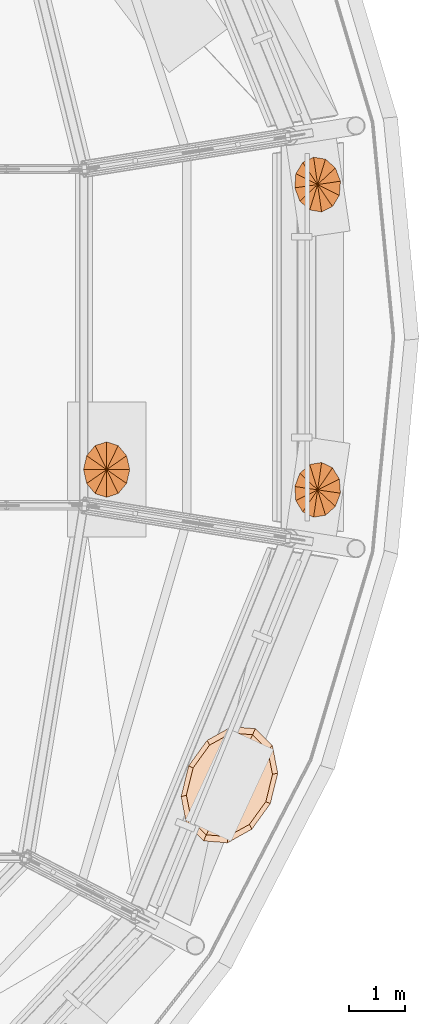
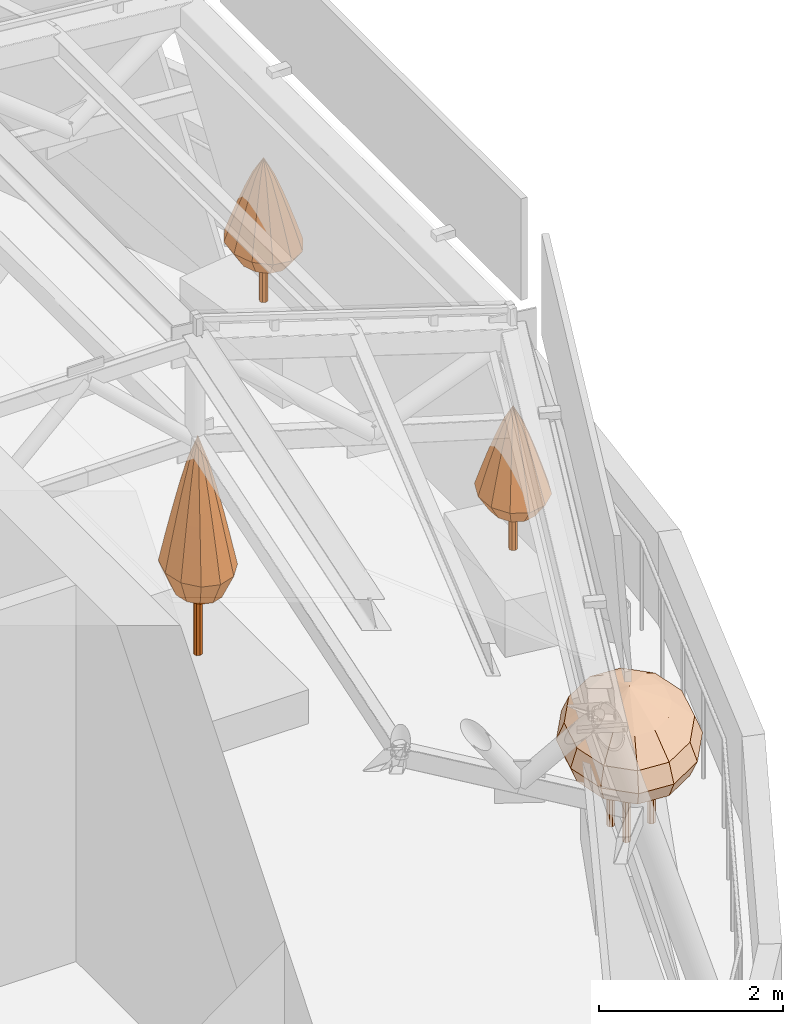
# One storey, part 36 of 40: 4 geographic elements.
"""IFC4 building model written with IfcOpenShell, lengths in metres."""

from ifc_helpers import new_model, si_unit, direction, frame, origin, place, context, subcontext, project, spatial, faceted_brep, material, constituent, constituent_set, type_object, element, save


model = new_model("IFC4")

# Units and contexts
model_context = context("Model", 3, precision=1e-05, world=origin(), true_north=direction((0.0, 1.0)))
body_context = subcontext(model_context, "Body", "Model", "MODEL_VIEW")
ifc_project = project(units=[si_unit("LENGTHUNIT", "METRE"), si_unit("AREAUNIT", "SQUARE_METRE"), si_unit("VOLUMEUNIT", "CUBIC_METRE"), si_unit("PLANEANGLEUNIT", "RADIAN"), si_unit("MASSUNIT", "GRAM", prefix="KILO")], contexts=[model_context])

# Site, building, storey
site_placement = place(None, origin())
site = spatial("IfcSite", under=ifc_project, at=site_placement, CompositionType="ELEMENT")
building_placement = place(site_placement, origin())
building = spatial("IfcBuilding", under=site, at=building_placement, Name="Taillehof Tower", CompositionType="ELEMENT")
storey_placement = place(building_placement, frame((0.0, 0.0, 275.199951171875)))
storey = spatial("IfcBuildingStorey", under=building, at=storey_placement, Name="L77", CompositionType="ELEMENT", Elevation=275.199951171875)

# Geographic elements
ifc_material_1 = material(Name="Tree bark", Category="timber")
ifc_constituent_1 = constituent(ifc_material_1, Name="Trunk", Category="timber")
ifc_material_2 = material(Name="Tree foliage")
ifc_constituent_2 = constituent(ifc_material_2, Name="Crown")
ifc_constituent_set_1 = constituent_set(constituents=[ifc_constituent_1, ifc_constituent_2], Name="Tree TR10 Scots pine standard")
geographic_element_type_1 = type_object("IfcGeographicElementType", Name="Tree TR10 Scots pine standard", PredefinedType="USERDEFINED", material=ifc_constituent_set_1)
geographic_element_1_placement = place(storey_placement, frame((19.14990234375, -2.054443359375, 0.449951171875)))
element("IfcGeographicElement", 1, at=geographic_element_1_placement, inside=storey, type_object=geographic_element_type_1, Name="Tree TR10 Scots pine standard", ObjectType="TREE", PredefinedType="USERDEFINED", context=body_context, shape_type="Brep", body=[
    faceted_brep([(0.050048828125, 0.0, 0.0), (0.035400390625, 0.035400390625, 0.0), (0.035400390625, 0.035400390625, 1.58056640625), (0.050048828125, 0.0, 1.58056640625), (0.0, 0.050048828125, 0.0), (0.0, 0.050048828125, 1.58056640625), (-0.035400390625, 0.035400390625, 0.0), (-0.035400390625, 0.035400390625, 1.58056640625), (-0.050048828125, 0.0, 0.0), (-0.050048828125, 0.0, 1.58056640625), (-0.035400390625, -0.035400390625, 0.0), (-0.035400390625, -0.035400390625, 1.58056640625), (0.0, -0.050048828125, 0.0), (0.0, -0.050048828125, 1.58056640625), (0.035400390625, -0.035400390625, 0.0), (0.035400390625, -0.035400390625, 1.58056640625)], [[[0, 1, 2, 3]], [[1, 4, 5, 2]], [[4, 6, 7, 5]], [[6, 8, 9, 7]], [[8, 10, 11, 9]], [[10, 12, 13, 11]], [[12, 14, 15, 13]], [[14, 0, 3, 15]], [[14, 12, 10, 8, 6, 4, 1, 0]], [[3, 2, 5, 7, 9, 11, 13, 15]]]),
    faceted_brep([(0.0, 0.330078125, 0.8701171875), (-0.137451171875, 0.285888671875, 0.8701171875), (-0.205322265625, 0.4267578125, 1.208251953125), (0.0, 0.49267578125, 1.208251953125), (-0.238037109375, 0.1650390625, 0.8701171875), (-0.35546875, 0.246337890625, 1.208251953125), (-0.27490234375, 0.0, 0.8701171875), (-0.41064453125, 0.0, 1.208251953125), (-0.238037109375, -0.1650390625, 0.8701171875), (-0.35546875, -0.246337890625, 1.208251953125), (-0.137451171875, -0.285888671875, 0.8701171875), (-0.205322265625, -0.4267578125, 1.208251953125), (0.0, -0.330078125, 0.8701171875), (0.0, -0.49267578125, 1.208251953125), (0.137451171875, -0.285888671875, 0.8701171875), (0.205322265625, -0.4267578125, 1.208251953125), (0.238037109375, -0.1650390625, 0.8701171875), (0.35546875, -0.246337890625, 1.208251953125), (0.27490234375, 0.0, 0.8701171875), (0.41064453125, 0.0, 1.208251953125), (0.238037109375, 0.1650390625, 0.8701171875), (0.35546875, 0.246337890625, 1.208251953125), (0.137451171875, 0.285888671875, 0.8701171875), (0.205322265625, 0.4267578125, 1.208251953125), (-0.171630859375, 0.35693359375, 1.546630859375), (0.0, 0.412109375, 1.546630859375), (-0.29736328125, 0.2060546875, 1.546630859375), (-0.343505859375, 0.0, 1.546630859375), (-0.29736328125, -0.2060546875, 1.546630859375), (-0.171630859375, -0.35693359375, 1.546630859375), (0.0, -0.412109375, 1.546630859375), (0.171630859375, -0.35693359375, 1.546630859375), (0.29736328125, -0.2060546875, 1.546630859375), (0.343505859375, 0.0, 1.546630859375), (0.29736328125, 0.2060546875, 1.546630859375), (0.171630859375, 0.35693359375, 1.546630859375), (-0.136474609375, 0.283447265625, 1.885009765625), (0.0, 0.327392578125, 1.885009765625), (-0.236328125, 0.16357421875, 1.885009765625), (-0.272705078125, 0.0, 1.885009765625), (-0.236328125, -0.16357421875, 1.885009765625), (-0.136474609375, -0.283447265625, 1.885009765625), (0.0, -0.327392578125, 1.885009765625), (0.136474609375, -0.283447265625, 1.885009765625), (0.236328125, -0.16357421875, 1.885009765625), (0.272705078125, 0.0, 1.885009765625), (0.236328125, 0.16357421875, 1.885009765625), (0.136474609375, 0.283447265625, 1.885009765625), (-0.0986328125, 0.205078125, 2.223388671875), (0.0, 0.236572265625, 2.223388671875), (-0.1708984375, 0.118408203125, 2.223388671875), (-0.197265625, 0.0, 2.223388671875), (-0.1708984375, -0.118408203125, 2.223388671875), (-0.0986328125, -0.205078125, 2.223388671875), (0.0, -0.236572265625, 2.223388671875), (0.0986328125, -0.205078125, 2.223388671875), (0.1708984375, -0.118408203125, 2.223388671875), (0.197265625, 0.0, 2.223388671875), (0.1708984375, 0.118408203125, 2.223388671875), (0.0986328125, 0.205078125, 2.223388671875), (-0.056640625, 0.11767578125, 2.561767578125), (0.0, 0.135986328125, 2.561767578125), (-0.09814453125, 0.06787109375, 2.561767578125), (-0.11328125, 0.0, 2.561767578125), (-0.09814453125, -0.06787109375, 2.561767578125), (-0.056640625, -0.11767578125, 2.561767578125), (0.0, -0.135986328125, 2.561767578125), (0.056640625, -0.11767578125, 2.561767578125), (0.09814453125, -0.06787109375, 2.561767578125), (0.11328125, 0.0, 2.561767578125), (0.09814453125, 0.06787109375, 2.561767578125), (0.056640625, 0.11767578125, 2.561767578125), (0.0, 0.0, 2.89990234375)], [[[0, 1, 2, 3]], [[1, 4, 5, 2]], [[4, 6, 7, 5]], [[6, 8, 9, 7]], [[8, 10, 11, 9]], [[10, 12, 13, 11]], [[12, 14, 15, 13]], [[14, 16, 17, 15]], [[16, 18, 19, 17]], [[18, 20, 21, 19]], [[20, 22, 23, 21]], [[22, 0, 3, 23]], [[3, 2, 24, 25]], [[2, 5, 26, 24]], [[5, 7, 27, 26]], [[7, 9, 28, 27]], [[9, 11, 29, 28]], [[11, 13, 30, 29]], [[13, 15, 31, 30]], [[15, 17, 32, 31]], [[17, 19, 33, 32]], [[19, 21, 34, 33]], [[21, 23, 35, 34]], [[23, 3, 25, 35]], [[25, 24, 36, 37]], [[24, 26, 38, 36]], [[26, 27, 39, 38]], [[27, 28, 40, 39]], [[28, 29, 41, 40]], [[29, 30, 42, 41]], [[30, 31, 43, 42]], [[31, 32, 44, 43]], [[32, 33, 45, 44]], [[33, 34, 46, 45]], [[34, 35, 47, 46]], [[35, 25, 37, 47]], [[37, 36, 48, 49]], [[36, 38, 50, 48]], [[38, 39, 51, 50]], [[39, 40, 52, 51]], [[40, 41, 53, 52]], [[41, 42, 54, 53]], [[42, 43, 55, 54]], [[43, 44, 56, 55]], [[44, 45, 57, 56]], [[45, 46, 58, 57]], [[46, 47, 59, 58]], [[47, 37, 49, 59]], [[49, 48, 60, 61]], [[48, 50, 62, 60]], [[50, 51, 63, 62]], [[51, 52, 64, 63]], [[52, 53, 65, 64]], [[53, 54, 66, 65]], [[54, 55, 67, 66]], [[55, 56, 68, 67]], [[56, 57, 69, 68]], [[57, 58, 70, 69]], [[58, 59, 71, 70]], [[59, 49, 61, 71]], [[61, 60, 72]], [[60, 62, 72]], [[62, 63, 72]], [[63, 64, 72]], [[64, 65, 72]], [[65, 66, 72]], [[66, 67, 72]], [[67, 68, 72]], [[68, 69, 72]], [[69, 70, 72]], [[70, 71, 72]], [[71, 61, 72]], [[22, 20, 18, 16, 14, 12, 10, 8, 6, 4, 1, 0]]]),
])
geographic_element_2_placement = place(storey_placement, frame((22.901611328125, 3.014892578125, 0.75)))
element("IfcGeographicElement", 2, at=geographic_element_2_placement, inside=storey, type_object=geographic_element_type_1, Name="Tree TR10 Scots pine standard", ObjectType="TREE", PredefinedType="USERDEFINED", context=body_context, shape_type="Brep", body=[
    faceted_brep([(0.050048828125, 0.0, 0.0), (0.035400390625, 0.035400390625, 0.0), (0.035400390625, 0.035400390625, 1.035400390625), (0.050048828125, 0.0, 1.035400390625), (0.0, 0.050048828125, 0.0), (0.0, 0.050048828125, 1.035400390625), (-0.035400390625, 0.035400390625, 0.0), (-0.035400390625, 0.035400390625, 1.035400390625), (-0.050048828125, 0.0, 0.0), (-0.050048828125, 0.0, 1.035400390625), (-0.035400390625, -0.035400390625, 0.0), (-0.035400390625, -0.035400390625, 1.035400390625), (0.0, -0.050048828125, 0.0), (0.0, -0.050048828125, 1.035400390625), (0.035400390625, -0.035400390625, 0.0), (0.035400390625, -0.035400390625, 1.035400390625)], [[[0, 1, 2, 3]], [[1, 4, 5, 2]], [[4, 6, 7, 5]], [[6, 8, 9, 7]], [[8, 10, 11, 9]], [[10, 12, 13, 11]], [[12, 14, 15, 13]], [[14, 0, 3, 15]], [[14, 12, 10, 8, 6, 4, 1, 0]], [[3, 2, 5, 7, 9, 11, 13, 15]]]),
    faceted_brep([(-0.0478515625, 0.326416015625, 0.570068359375), (-0.177490234375, 0.2626953125, 0.570068359375), (-0.26513671875, 0.392333984375, 0.791748046875), (-0.071533203125, 0.4873046875, 0.791748046875), (-0.259521484375, 0.128662109375, 0.570068359375), (-0.387451171875, 0.192138671875, 0.791748046875), (-0.27197265625, -0.0400390625, 0.570068359375), (-0.40625, -0.0595703125, 0.791748046875), (-0.211669921875, -0.19775390625, 0.570068359375), (-0.31591796875, -0.29541015625, 0.791748046875), (-0.094482421875, -0.302734375, 0.570068359375), (-0.14111328125, -0.451904296875, 0.791748046875), (0.0478515625, -0.326416015625, 0.570068359375), (0.071533203125, -0.4873046875, 0.791748046875), (0.177490234375, -0.2626953125, 0.570068359375), (0.26513671875, -0.392333984375, 0.791748046875), (0.259521484375, -0.128662109375, 0.570068359375), (0.387451171875, -0.192138671875, 0.791748046875), (0.27197265625, 0.0400390625, 0.570068359375), (0.40625, 0.0595703125, 0.791748046875), (0.211669921875, 0.19775390625, 0.570068359375), (0.31591796875, 0.29541015625, 0.791748046875), (0.094482421875, 0.302734375, 0.570068359375), (0.14111328125, 0.451904296875, 0.791748046875), (-0.2216796875, 0.328125, 1.013427734375), (-0.059814453125, 0.40771484375, 1.013427734375), (-0.32421875, 0.16064453125, 1.013427734375), (-0.33984375, -0.0498046875, 1.013427734375), (-0.264404296875, -0.2470703125, 1.013427734375), (-0.117919921875, -0.3779296875, 1.013427734375), (0.059814453125, -0.40771484375, 1.013427734375), (0.2216796875, -0.328125, 1.013427734375), (0.32421875, -0.16064453125, 1.013427734375), (0.33984375, 0.0498046875, 1.013427734375), (0.264404296875, 0.2470703125, 1.013427734375), (0.117919921875, 0.3779296875, 1.013427734375), (-0.17626953125, 0.2607421875, 1.235107421875), (-0.047607421875, 0.323974609375, 1.235107421875), (-0.257568359375, 0.127685546875, 1.235107421875), (-0.27001953125, -0.03955078125, 1.235107421875), (-0.2099609375, -0.1962890625, 1.235107421875), (-0.09375, -0.30029296875, 1.235107421875), (0.047607421875, -0.323974609375, 1.235107421875), (0.17626953125, -0.2607421875, 1.235107421875), (0.257568359375, -0.127685546875, 1.235107421875), (0.27001953125, 0.03955078125, 1.235107421875), (0.2099609375, 0.1962890625, 1.235107421875), (0.09375, 0.30029296875, 1.235107421875), (-0.12744140625, 0.1884765625, 1.456787109375), (-0.034423828125, 0.234130859375, 1.456787109375), (-0.186279296875, 0.09228515625, 1.456787109375), (-0.195068359375, -0.028564453125, 1.456787109375), (-0.15185546875, -0.141845703125, 1.456787109375), (-0.06787109375, -0.217041015625, 1.456787109375), (0.034423828125, -0.234130859375, 1.456787109375), (0.12744140625, -0.1884765625, 1.456787109375), (0.186279296875, -0.09228515625, 1.456787109375), (0.195068359375, 0.028564453125, 1.456787109375), (0.15185546875, 0.141845703125, 1.456787109375), (0.06787109375, 0.217041015625, 1.456787109375), (-0.0732421875, 0.108154296875, 1.67822265625), (-0.019775390625, 0.134521484375, 1.67822265625), (-0.10693359375, 0.052978515625, 1.67822265625), (-0.112060546875, -0.016357421875, 1.67822265625), (-0.087158203125, -0.08154296875, 1.67822265625), (-0.038818359375, -0.124755859375, 1.67822265625), (0.019775390625, -0.134521484375, 1.67822265625), (0.0732421875, -0.108154296875, 1.67822265625), (0.10693359375, -0.052978515625, 1.67822265625), (0.112060546875, 0.016357421875, 1.67822265625), (0.087158203125, 0.08154296875, 1.67822265625), (0.038818359375, 0.124755859375, 1.67822265625), (0.0, 0.0, 1.89990234375)], [[[0, 1, 2, 3]], [[1, 4, 5, 2]], [[4, 6, 7, 5]], [[6, 8, 9, 7]], [[8, 10, 11, 9]], [[10, 12, 13, 11]], [[12, 14, 15, 13]], [[14, 16, 17, 15]], [[16, 18, 19, 17]], [[18, 20, 21, 19]], [[20, 22, 23, 21]], [[22, 0, 3, 23]], [[3, 2, 24, 25]], [[2, 5, 26, 24]], [[5, 7, 27, 26]], [[7, 9, 28, 27]], [[9, 11, 29, 28]], [[11, 13, 30, 29]], [[13, 15, 31, 30]], [[15, 17, 32, 31]], [[17, 19, 33, 32]], [[19, 21, 34, 33]], [[21, 23, 35, 34]], [[23, 3, 25, 35]], [[25, 24, 36, 37]], [[24, 26, 38, 36]], [[26, 27, 39, 38]], [[27, 28, 40, 39]], [[28, 29, 41, 40]], [[29, 30, 42, 41]], [[30, 31, 43, 42]], [[31, 32, 44, 43]], [[32, 33, 45, 44]], [[33, 34, 46, 45]], [[34, 35, 47, 46]], [[35, 25, 37, 47]], [[37, 36, 48, 49]], [[36, 38, 50, 48]], [[38, 39, 51, 50]], [[39, 40, 52, 51]], [[40, 41, 53, 52]], [[41, 42, 54, 53]], [[42, 43, 55, 54]], [[43, 44, 56, 55]], [[44, 45, 57, 56]], [[45, 46, 58, 57]], [[46, 47, 59, 58]], [[47, 37, 49, 59]], [[49, 48, 60, 61]], [[48, 50, 62, 60]], [[50, 51, 63, 62]], [[51, 52, 64, 63]], [[52, 53, 65, 64]], [[53, 54, 66, 65]], [[54, 55, 67, 66]], [[55, 56, 68, 67]], [[56, 57, 69, 68]], [[57, 58, 70, 69]], [[58, 59, 71, 70]], [[59, 49, 61, 71]], [[61, 60, 72]], [[60, 62, 72]], [[62, 63, 72]], [[63, 64, 72]], [[64, 65, 72]], [[65, 66, 72]], [[66, 67, 72]], [[67, 68, 72]], [[68, 69, 72]], [[69, 70, 72]], [[70, 71, 72]], [[71, 61, 72]], [[22, 20, 18, 16, 14, 12, 10, 8, 6, 4, 1, 0]]]),
])
geographic_element_3_placement = place(storey_placement, frame((22.901611328125, -2.414794921875, 0.75)))
element("IfcGeographicElement", 3, at=geographic_element_3_placement, inside=storey, type_object=geographic_element_type_1, Name="Tree TR10 Scots pine standard", ObjectType="TREE", PredefinedType="USERDEFINED", context=body_context, shape_type="Brep", body=[
    faceted_brep([(0.050048828125, 0.0, 0.0), (0.035400390625, 0.035400390625, 0.0), (0.035400390625, 0.035400390625, 1.035400390625), (0.050048828125, 0.0, 1.035400390625), (0.0, 0.050048828125, 0.0), (0.0, 0.050048828125, 1.035400390625), (-0.035400390625, 0.035400390625, 0.0), (-0.035400390625, 0.035400390625, 1.035400390625), (-0.050048828125, 0.0, 0.0), (-0.050048828125, 0.0, 1.035400390625), (-0.035400390625, -0.035400390625, 0.0), (-0.035400390625, -0.035400390625, 1.035400390625), (0.0, -0.050048828125, 0.0), (0.0, -0.050048828125, 1.035400390625), (0.035400390625, -0.035400390625, 0.0), (0.035400390625, -0.035400390625, 1.035400390625)], [[[0, 1, 2, 3]], [[1, 4, 5, 2]], [[4, 6, 7, 5]], [[6, 8, 9, 7]], [[8, 10, 11, 9]], [[10, 12, 13, 11]], [[12, 14, 15, 13]], [[14, 0, 3, 15]], [[14, 12, 10, 8, 6, 4, 1, 0]], [[3, 2, 5, 7, 9, 11, 13, 15]]]),
    faceted_brep([(0.0478515625, 0.326416015625, 0.570068359375), (-0.094482421875, 0.302734375, 0.570068359375), (-0.14111328125, 0.451904296875, 0.791748046875), (0.071533203125, 0.4873046875, 0.791748046875), (-0.211669921875, 0.19775390625, 0.570068359375), (-0.31591796875, 0.29541015625, 0.791748046875), (-0.27197265625, 0.0400390625, 0.570068359375), (-0.40625, 0.0595703125, 0.791748046875), (-0.259521484375, -0.128662109375, 0.570068359375), (-0.387451171875, -0.192138671875, 0.791748046875), (-0.177490234375, -0.2626953125, 0.570068359375), (-0.26513671875, -0.392333984375, 0.791748046875), (-0.0478515625, -0.326416015625, 0.570068359375), (-0.071533203125, -0.4873046875, 0.791748046875), (0.094482421875, -0.302734375, 0.570068359375), (0.14111328125, -0.451904296875, 0.791748046875), (0.211669921875, -0.19775390625, 0.570068359375), (0.31591796875, -0.29541015625, 0.791748046875), (0.27197265625, -0.0400390625, 0.570068359375), (0.40625, -0.0595703125, 0.791748046875), (0.259521484375, 0.128662109375, 0.570068359375), (0.387451171875, 0.192138671875, 0.791748046875), (0.177490234375, 0.2626953125, 0.570068359375), (0.26513671875, 0.392333984375, 0.791748046875), (-0.117919921875, 0.3779296875, 1.013427734375), (0.059814453125, 0.40771484375, 1.013427734375), (-0.264404296875, 0.2470703125, 1.013427734375), (-0.33984375, 0.0498046875, 1.013427734375), (-0.32421875, -0.16064453125, 1.013427734375), (-0.2216796875, -0.328125, 1.013427734375), (-0.059814453125, -0.40771484375, 1.013427734375), (0.117919921875, -0.3779296875, 1.013427734375), (0.264404296875, -0.2470703125, 1.013427734375), (0.33984375, -0.0498046875, 1.013427734375), (0.32421875, 0.16064453125, 1.013427734375), (0.2216796875, 0.328125, 1.013427734375), (-0.09375, 0.30029296875, 1.235107421875), (0.047607421875, 0.323974609375, 1.235107421875), (-0.2099609375, 0.1962890625, 1.235107421875), (-0.27001953125, 0.03955078125, 1.235107421875), (-0.257568359375, -0.127685546875, 1.235107421875), (-0.17626953125, -0.2607421875, 1.235107421875), (-0.047607421875, -0.323974609375, 1.235107421875), (0.09375, -0.30029296875, 1.235107421875), (0.2099609375, -0.1962890625, 1.235107421875), (0.27001953125, -0.03955078125, 1.235107421875), (0.257568359375, 0.127685546875, 1.235107421875), (0.17626953125, 0.2607421875, 1.235107421875), (-0.06787109375, 0.217041015625, 1.456787109375), (0.034423828125, 0.234130859375, 1.456787109375), (-0.15185546875, 0.141845703125, 1.456787109375), (-0.195068359375, 0.028564453125, 1.456787109375), (-0.186279296875, -0.09228515625, 1.456787109375), (-0.12744140625, -0.1884765625, 1.456787109375), (-0.034423828125, -0.234130859375, 1.456787109375), (0.06787109375, -0.217041015625, 1.456787109375), (0.15185546875, -0.141845703125, 1.456787109375), (0.195068359375, -0.028564453125, 1.456787109375), (0.186279296875, 0.09228515625, 1.456787109375), (0.12744140625, 0.1884765625, 1.456787109375), (-0.038818359375, 0.124755859375, 1.67822265625), (0.019775390625, 0.134521484375, 1.67822265625), (-0.087158203125, 0.08154296875, 1.67822265625), (-0.112060546875, 0.016357421875, 1.67822265625), (-0.10693359375, -0.052978515625, 1.67822265625), (-0.0732421875, -0.108154296875, 1.67822265625), (-0.019775390625, -0.134521484375, 1.67822265625), (0.038818359375, -0.124755859375, 1.67822265625), (0.087158203125, -0.08154296875, 1.67822265625), (0.112060546875, -0.016357421875, 1.67822265625), (0.10693359375, 0.052978515625, 1.67822265625), (0.0732421875, 0.108154296875, 1.67822265625), (0.0, 0.0, 1.89990234375)], [[[0, 1, 2, 3]], [[1, 4, 5, 2]], [[4, 6, 7, 5]], [[6, 8, 9, 7]], [[8, 10, 11, 9]], [[10, 12, 13, 11]], [[12, 14, 15, 13]], [[14, 16, 17, 15]], [[16, 18, 19, 17]], [[18, 20, 21, 19]], [[20, 22, 23, 21]], [[22, 0, 3, 23]], [[3, 2, 24, 25]], [[2, 5, 26, 24]], [[5, 7, 27, 26]], [[7, 9, 28, 27]], [[9, 11, 29, 28]], [[11, 13, 30, 29]], [[13, 15, 31, 30]], [[15, 17, 32, 31]], [[17, 19, 33, 32]], [[19, 21, 34, 33]], [[21, 23, 35, 34]], [[23, 3, 25, 35]], [[25, 24, 36, 37]], [[24, 26, 38, 36]], [[26, 27, 39, 38]], [[27, 28, 40, 39]], [[28, 29, 41, 40]], [[29, 30, 42, 41]], [[30, 31, 43, 42]], [[31, 32, 44, 43]], [[32, 33, 45, 44]], [[33, 34, 46, 45]], [[34, 35, 47, 46]], [[35, 25, 37, 47]], [[37, 36, 48, 49]], [[36, 38, 50, 48]], [[38, 39, 51, 50]], [[39, 40, 52, 51]], [[40, 41, 53, 52]], [[41, 42, 54, 53]], [[42, 43, 55, 54]], [[43, 44, 56, 55]], [[44, 45, 57, 56]], [[45, 46, 58, 57]], [[46, 47, 59, 58]], [[47, 37, 49, 59]], [[49, 48, 60, 61]], [[48, 50, 62, 60]], [[50, 51, 63, 62]], [[51, 52, 64, 63]], [[52, 53, 65, 64]], [[53, 54, 66, 65]], [[54, 55, 67, 66]], [[55, 56, 68, 67]], [[56, 57, 69, 68]], [[57, 58, 70, 69]], [[58, 59, 71, 70]], [[59, 49, 61, 71]], [[61, 60, 72]], [[60, 62, 72]], [[62, 63, 72]], [[63, 64, 72]], [[64, 65, 72]], [[65, 66, 72]], [[66, 67, 72]], [[67, 68, 72]], [[68, 69, 72]], [[69, 70, 72]], [[70, 71, 72]], [[71, 61, 72]], [[22, 20, 18, 16, 14, 12, 10, 8, 6, 4, 1, 0]]]),
])
ifc_material_3 = material(Name="Tree bark", Category="timber")
ifc_constituent_3 = constituent(ifc_material_3, Name="Trunk", Category="timber")
ifc_material_4 = material(Name="Tree foliage")
ifc_constituent_4 = constituent(ifc_material_4, Name="Crown")
ifc_constituent_set_2 = constituent_set(constituents=[ifc_constituent_3, ifc_constituent_4], Name="Tree TR9 Multi-stem hawthorn")
geographic_element_type_2 = type_object("IfcGeographicElementType", Name="Tree TR9 Multi-stem hawthorn", PredefinedType="USERDEFINED", material=ifc_constituent_set_2)
geographic_element_4_placement = place(storey_placement, frame((21.333984375, -7.659912109375, 0.75)))
element("IfcGeographicElement", 4, at=geographic_element_4_placement, inside=storey, type_object=geographic_element_type_2, Name="Tree TR9 Multi-stem hawthorn", ObjectType="TREE", PredefinedType="USERDEFINED", context=body_context, shape_type="Brep", body=[
    faceted_brep([(0.31982421875, 0.0, 0.0), (0.306640625, 0.03173828125, 0.0), (0.306640625, 0.03173828125, 1.035400390625), (0.31982421875, 0.0, 1.035400390625), (0.27490234375, 0.044921875, 0.0), (0.27490234375, 0.044921875, 1.035400390625), (0.2431640625, 0.03173828125, 0.0), (0.2431640625, 0.03173828125, 1.035400390625), (0.22998046875, 0.0, 0.0), (0.22998046875, 0.0, 1.035400390625), (0.2431640625, -0.03173828125, 0.0), (0.2431640625, -0.03173828125, 1.035400390625), (0.27490234375, -0.044921875, 0.0), (0.27490234375, -0.044921875, 1.035400390625), (0.306640625, -0.03173828125, 0.0), (0.306640625, -0.03173828125, 1.035400390625)], [[[0, 1, 2, 3]], [[1, 4, 5, 2]], [[4, 6, 7, 5]], [[6, 8, 9, 7]], [[8, 10, 11, 9]], [[10, 12, 13, 11]], [[12, 14, 15, 13]], [[14, 0, 3, 15]], [[14, 12, 10, 8, 6, 4, 1, 0]], [[3, 2, 5, 7, 9, 11, 13, 15]]]),
    faceted_brep([(-0.092529296875, 0.173095703125, 0.0), (-0.105712890625, 0.205078125, 0.0), (-0.105712890625, 0.205078125, 1.035400390625), (-0.092529296875, 0.173095703125, 1.035400390625), (-0.137451171875, 0.218017578125, 0.0), (-0.137451171875, 0.218017578125, 1.035400390625), (-0.169189453125, 0.205078125, 0.0), (-0.169189453125, 0.205078125, 1.035400390625), (-0.182373046875, 0.173095703125, 0.0), (-0.182373046875, 0.173095703125, 1.035400390625), (-0.169189453125, 0.141357421875, 0.0), (-0.169189453125, 0.141357421875, 1.035400390625), (-0.137451171875, 0.12841796875, 0.0), (-0.137451171875, 0.12841796875, 1.035400390625), (-0.105712890625, 0.141357421875, 0.0), (-0.105712890625, 0.141357421875, 1.035400390625)], [[[0, 1, 2, 3]], [[1, 4, 5, 2]], [[4, 6, 7, 5]], [[6, 8, 9, 7]], [[8, 10, 11, 9]], [[10, 12, 13, 11]], [[12, 14, 15, 13]], [[14, 0, 3, 15]], [[14, 12, 10, 8, 6, 4, 1, 0]], [[3, 2, 5, 7, 9, 11, 13, 15]]]),
    faceted_brep([(-0.092529296875, -0.173095703125, 0.0), (-0.105712890625, -0.141357421875, 0.0), (-0.105712890625, -0.141357421875, 1.035400390625), (-0.092529296875, -0.173095703125, 1.035400390625), (-0.137451171875, -0.12841796875, 0.0), (-0.137451171875, -0.12841796875, 1.035400390625), (-0.169189453125, -0.141357421875, 0.0), (-0.169189453125, -0.141357421875, 1.035400390625), (-0.182373046875, -0.173095703125, 0.0), (-0.182373046875, -0.173095703125, 1.035400390625), (-0.169189453125, -0.205078125, 0.0), (-0.169189453125, -0.205078125, 1.035400390625), (-0.137451171875, -0.218017578125, 0.0), (-0.137451171875, -0.218017578125, 1.035400390625), (-0.105712890625, -0.205078125, 0.0), (-0.105712890625, -0.205078125, 1.035400390625)], [[[0, 1, 2, 3]], [[1, 4, 5, 2]], [[4, 6, 7, 5]], [[6, 8, 9, 7]], [[8, 10, 11, 9]], [[10, 12, 13, 11]], [[12, 14, 15, 13]], [[14, 0, 3, 15]], [[14, 12, 10, 8, 6, 4, 1, 0]], [[3, 2, 5, 7, 9, 11, 13, 15]]]),
    faceted_brep([(0.0, 0.0, 0.570068359375), (0.02099609375, 0.593017578125, 0.791748046875), (0.264892578125, 0.573486328125, 0.791748046875), (-0.228759765625, 0.45361328125, 0.791748046875), (-0.417236328125, 0.192626953125, 0.791748046875), (-0.49365234375, -0.119873046875, 0.791748046875), (-0.43798828125, -0.400390625, 0.791748046875), (-0.264892578125, -0.573486328125, 0.791748046875), (-0.02099609375, -0.593017578125, 0.791748046875), (0.228759765625, -0.45361328125, 0.791748046875), (0.417236328125, -0.192626953125, 0.791748046875), (0.49365234375, 0.119873046875, 0.791748046875), (0.43798828125, 0.400390625, 0.791748046875), (0.032470703125, 0.92041015625, 1.013427734375), (0.4111328125, 0.89013671875, 1.013427734375), (-0.35498046875, 0.7041015625, 1.013427734375), (-0.647216796875, 0.299072265625, 1.013427734375), (-0.76611328125, -0.18603515625, 1.013427734375), (-0.6796875, -0.621337890625, 1.013427734375), (-0.4111328125, -0.89013671875, 1.013427734375), (-0.032470703125, -0.92041015625, 1.013427734375), (0.35498046875, -0.7041015625, 1.013427734375), (0.647216796875, -0.299072265625, 1.013427734375), (0.76611328125, 0.18603515625, 1.013427734375), (0.6796875, 0.621337890625, 1.013427734375), (0.036376953125, 1.032470703125, 1.235107421875), (0.46142578125, 0.99853515625, 1.235107421875), (-0.398193359375, 0.789794921875, 1.235107421875), (-0.726318359375, 0.33544921875, 1.235107421875), (-0.859619140625, -0.208740234375, 1.235107421875), (-0.7626953125, -0.697021484375, 1.235107421875), (-0.46142578125, -0.99853515625, 1.235107421875), (-0.036376953125, -1.032470703125, 1.235107421875), (0.398193359375, -0.789794921875, 1.235107421875), (0.726318359375, -0.33544921875, 1.235107421875), (0.859619140625, 0.208740234375, 1.235107421875), (0.7626953125, 0.697021484375, 1.235107421875), (0.032470703125, 0.92041015625, 1.456787109375), (0.4111328125, 0.89013671875, 1.456787109375), (-0.35498046875, 0.7041015625, 1.456787109375), (-0.647216796875, 0.299072265625, 1.456787109375), (-0.76611328125, -0.18603515625, 1.456787109375), (-0.6796875, -0.621337890625, 1.456787109375), (-0.4111328125, -0.89013671875, 1.456787109375), (-0.032470703125, -0.92041015625, 1.456787109375), (0.35498046875, -0.7041015625, 1.456787109375), (0.647216796875, -0.299072265625, 1.456787109375), (0.76611328125, 0.18603515625, 1.456787109375), (0.6796875, 0.621337890625, 1.456787109375), (0.02099609375, 0.593017578125, 1.67822265625), (0.264892578125, 0.573486328125, 1.67822265625), (-0.228759765625, 0.45361328125, 1.67822265625), (-0.417236328125, 0.192626953125, 1.67822265625), (-0.49365234375, -0.119873046875, 1.67822265625), (-0.43798828125, -0.400390625, 1.67822265625), (-0.264892578125, -0.573486328125, 1.67822265625), (-0.02099609375, -0.593017578125, 1.67822265625), (0.228759765625, -0.45361328125, 1.67822265625), (0.417236328125, -0.192626953125, 1.67822265625), (0.49365234375, 0.119873046875, 1.67822265625), (0.43798828125, 0.400390625, 1.67822265625), (0.0, 0.0, 1.89990234375)], [[[0, 1, 2]], [[0, 3, 1]], [[0, 4, 3]], [[0, 5, 4]], [[0, 6, 5]], [[0, 7, 6]], [[0, 8, 7]], [[0, 9, 8]], [[0, 10, 9]], [[0, 11, 10]], [[0, 12, 11]], [[0, 2, 12]], [[2, 1, 13, 14]], [[1, 3, 15, 13]], [[3, 4, 16, 15]], [[4, 5, 17, 16]], [[5, 6, 18, 17]], [[6, 7, 19, 18]], [[7, 8, 20, 19]], [[8, 9, 21, 20]], [[9, 10, 22, 21]], [[10, 11, 23, 22]], [[11, 12, 24, 23]], [[12, 2, 14, 24]], [[14, 13, 25, 26]], [[13, 15, 27, 25]], [[15, 16, 28, 27]], [[16, 17, 29, 28]], [[17, 18, 30, 29]], [[18, 19, 31, 30]], [[19, 20, 32, 31]], [[20, 21, 33, 32]], [[21, 22, 34, 33]], [[22, 23, 35, 34]], [[23, 24, 36, 35]], [[24, 14, 26, 36]], [[26, 25, 37, 38]], [[25, 27, 39, 37]], [[27, 28, 40, 39]], [[28, 29, 41, 40]], [[29, 30, 42, 41]], [[30, 31, 43, 42]], [[31, 32, 44, 43]], [[32, 33, 45, 44]], [[33, 34, 46, 45]], [[34, 35, 47, 46]], [[35, 36, 48, 47]], [[36, 26, 38, 48]], [[38, 37, 49, 50]], [[37, 39, 51, 49]], [[39, 40, 52, 51]], [[40, 41, 53, 52]], [[41, 42, 54, 53]], [[42, 43, 55, 54]], [[43, 44, 56, 55]], [[44, 45, 57, 56]], [[45, 46, 58, 57]], [[46, 47, 59, 58]], [[47, 48, 60, 59]], [[48, 38, 50, 60]], [[50, 49, 61]], [[49, 51, 61]], [[51, 52, 61]], [[52, 53, 61]], [[53, 54, 61]], [[54, 55, 61]], [[55, 56, 61]], [[56, 57, 61]], [[57, 58, 61]], [[58, 59, 61]], [[59, 60, 61]], [[60, 50, 61]]]),
])

save(model, "model.ifc")
